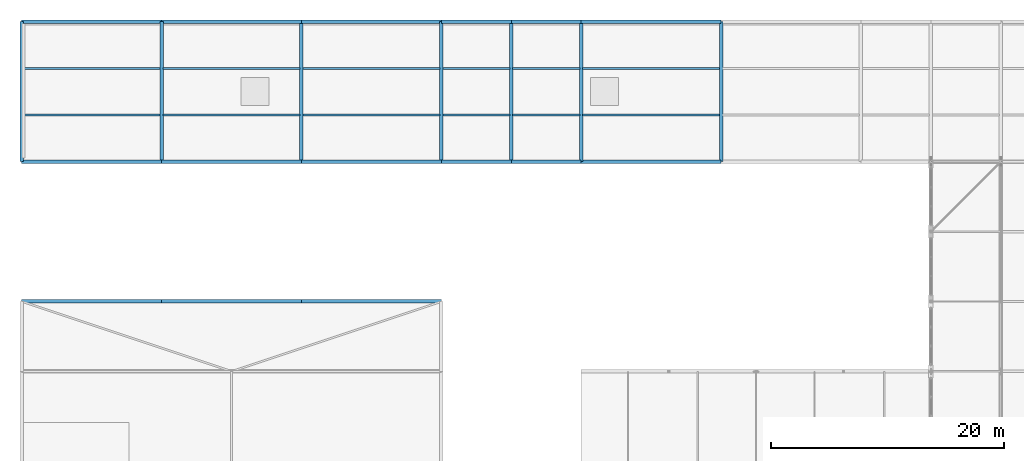
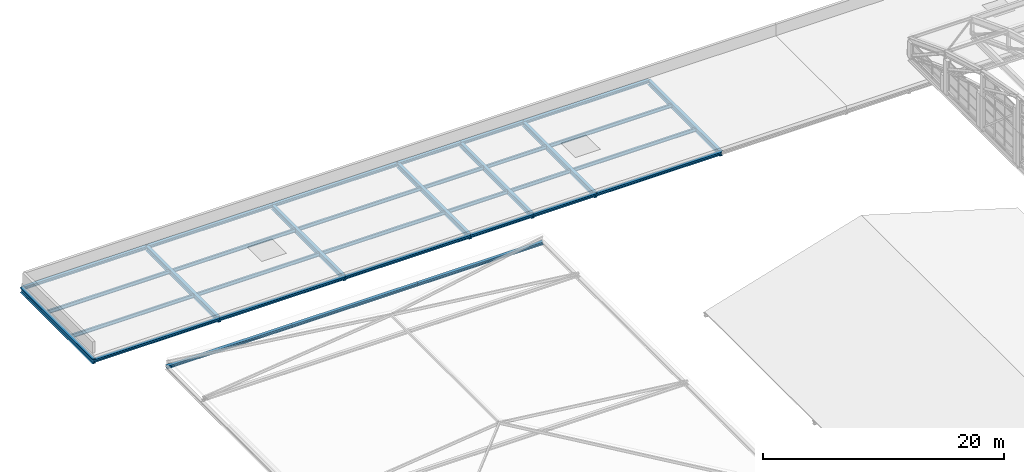
# One storey, part 140 of 204: 34 beams.
"""IFC4 building model written with IfcOpenShell, lengths in metres."""

import ifcopenshell
import ifcopenshell.guid

model = None  # the IFC model being written
_history = None  # IfcOwnerHistory: only IFC2X3 demands one
_inside = {}  # id of a spatial element -> (the spatial element, [elements in it])
_under = {}  # id of a project, library or spatial element -> (it, [spatial elements below it])
_declared = {}  # id of a project -> (the project, [libraries it declares])
_typed = {}  # id of a type object -> (the type object, [elements of that type])
_made_of = {}  # id of a material, layer set ... -> (it, [elements and type objects made of it])


def new_model(schema):
    """Start an empty IFC model of exactly this schema.

    Asked for "IFC4X3", IfcOpenShell would pick the latest addendum, in which some entities
    have other attributes; the version numbers below select the first issue.
    IFC2X3 requires an IfcOwnerHistory on every rooted entity: one is made here for all.
    """
    global model, _history
    if schema == "IFC4X3":
        model = ifcopenshell.file(schema_version=(4, 3, 0, 0))
    else:
        model = ifcopenshell.file(schema=schema)
    _inside.clear()
    _under.clear()
    _declared.clear()
    _typed.clear()
    _made_of.clear()
    _history = None
    if model.schema == "IFC2X3":
        org = make("IfcOrganization", Name="unknown")
        user = make(
            "IfcPersonAndOrganization",
            ThePerson=make("IfcPerson", FamilyName="unknown"),
            TheOrganization=org,
        )
        app = make(
            "IfcApplication",
            ApplicationDeveloper=org,
            Version="unknown",
            ApplicationFullName="unknown",
            ApplicationIdentifier="unknown",
        )
        _history = make(
            "IfcOwnerHistory",
            OwningUser=user,
            OwningApplication=app,
            ChangeAction="ADDED",
            CreationDate=0,
        )
    return model


def make(cls, **values):
    """One entity of the class cls with the attributes given. An attribute that is None is left unset."""
    return model.create_entity(
        cls, **{name: value for name, value in values.items() if value is not None}
    )


def rooted(cls, **values):
    """An entity with a GlobalId (a new one), such as an element, a storey or a relation."""
    return make(cls, GlobalId=ifcopenshell.guid.new(), OwnerHistory=_history, **values)


def si_unit(unit_type, name, prefix=None):
    """IfcSIUnit, for example si_unit("LENGTHUNIT", "METRE", prefix="MILLI")."""
    return make("IfcSIUnit", UnitType=unit_type, Prefix=prefix, Name=name)


def assignment(units):
    """IfcUnitAssignment: the units of a project."""
    return None if units is None else make("IfcUnitAssignment", Units=units)


def point(xyz):
    """IfcCartesianPoint."""
    return None if xyz is None else make("IfcCartesianPoint", Coordinates=xyz)


def direction(xyz):
    """IfcDirection."""
    return None if xyz is None else make("IfcDirection", DirectionRatios=xyz)


def frame(location, z_axis=None, x_axis=None):
    """IfcAxis2Placement3D, a coordinate frame: its origin and axes. An axis left out is left unset."""
    return make(
        "IfcAxis2Placement3D",
        Location=point(location),
        Axis=direction(z_axis),
        RefDirection=direction(x_axis),
    )


def frame_2d(location, x_axis=None):
    """IfcAxis2Placement2D, a coordinate frame in the plane: its origin and x axis."""
    return make(
        "IfcAxis2Placement2D", Location=point(location), RefDirection=direction(x_axis)
    )


def origin():
    """The frame at (0, 0, 0) with its axes left unset."""
    return frame((0.0, 0.0, 0.0))


def origin_2d():
    """The frame at (0, 0) in the plane with its x axis left unset."""
    return frame_2d((0.0, 0.0))


def place(relative_to, where):
    """IfcLocalPlacement: puts the frame where relative to a parent placement (None: the world)."""
    return make(
        "IfcLocalPlacement", PlacementRelTo=relative_to, RelativePlacement=where
    )


def context(
    kind, dimensions, precision=None, world=None, true_north=None, identifier=None
):
    """IfcGeometricRepresentationContext, for example the 3D "Model" context."""
    return make(
        "IfcGeometricRepresentationContext",
        ContextIdentifier=identifier,
        ContextType=kind,
        CoordinateSpaceDimension=dimensions,
        Precision=precision,
        WorldCoordinateSystem=world,
        TrueNorth=true_north,
    )


def subcontext(parent, identifier, kind, view, scale=None):
    """IfcGeometricRepresentationSubContext, for example "Body" below "Model"."""
    return make(
        "IfcGeometricRepresentationSubContext",
        ContextIdentifier=identifier,
        ContextType=kind,
        ParentContext=parent,
        TargetScale=scale,
        TargetView=view,
    )


def project(units=None, contexts=None):
    """IfcProject with its units and contexts."""
    return rooted(
        "IfcProject",
        Name="project",
        RepresentationContexts=contexts,
        UnitsInContext=assignment(units),
    )


def spatial(cls, under=None, at=None, **own):
    """A site, building, storey or space (cls), placed at a placement, below another one or the project."""
    s = rooted(cls, ObjectPlacement=at, **own)
    if under is not None:
        _under.setdefault(under.id(), (under, []))[1].append(s)
    return s


def profile(cls, at=None, kind="AREA", **sizes):
    """A parametric profile (cls). Its sizes go by their IFC names, for example OverallWidth=200.0."""
    return make(cls, ProfileType=kind, Position=at, **sizes)


def i_section(**sizes):
    """IfcIShapeProfileDef."""
    return profile("IfcIShapeProfileDef", **sizes)


def extrude(swept, where, along, depth):
    """IfcExtrudedAreaSolid: the profile swept, set in the frame where, extruded along a direction by depth."""
    return make(
        "IfcExtrudedAreaSolid",
        SweptArea=swept,
        Position=where,
        ExtrudedDirection=direction(along),
        Depth=depth,
    )


def shape(context_of_items, identifier, shape_type, items):
    """IfcShapeRepresentation: the items that make up one representation, for example the "Body"."""
    return make(
        "IfcShapeRepresentation",
        ContextOfItems=context_of_items,
        RepresentationIdentifier=identifier,
        RepresentationType=shape_type,
        Items=items,
    )


def material(Name=None, Category=None):
    """IfcMaterial."""
    return make("IfcMaterial", Name=Name, Category=Category)


def material_profile(
    of_material, cross_section, Name=None, Category=None, Priority=None
):
    """IfcMaterialProfile: a cross section and its material."""
    return make(
        "IfcMaterialProfile",
        Name=Name,
        Material=of_material,
        Profile=cross_section,
        Priority=Priority,
        Category=Category,
    )


def profile_set(profiles, Name=None, composite=None):
    """IfcMaterialProfileSet."""
    return make(
        "IfcMaterialProfileSet",
        Name=Name,
        MaterialProfiles=profiles,
        CompositeProfile=composite,
    )


def made_of(thing, what):
    """Note that an element or type object is made of a material, layer set ...; save() writes the relation."""
    if what is not None:
        _made_of.setdefault(what.id(), (what, []))[1].append(thing)
    return thing


def type_object(cls, material=None, **own):
    """A type object (cls), such as IfcWallType, which elements share."""
    return made_of(rooted(cls, **own), material)


def element(
    cls,
    number,
    at=None,
    inside=None,
    cuts=None,
    type_object=None,
    material=None,
    context=None,
    identifier="Body",
    shape_type=None,
    held_by="IfcProductDefinitionShape",
    body=None,
    shapes=None,
    **own,
):
    """One element of the class cls, such as IfcWall. Its Tag is "e" and its number.

    at: its placement. inside: the storey or other place that contains it. cuts: it is an
    opening in that element (IfcRelVoidsElement). A single representation is given by context,
    identifier, shape_type and body (its items); several are given by shapes. held_by: the class
    of the entity that holds the representations. save() writes the other relations.
    """
    e = rooted(cls, Tag="e%d" % number, ObjectPlacement=at, **own)
    if body is not None:
        shapes = [shape(context, identifier, shape_type, body)]
    if shapes is not None:
        e.Representation = make(held_by, Representations=shapes)
    if inside is not None:
        _inside.setdefault(inside.id(), (inside, []))[1].append(e)
    if cuts is not None:
        rooted(
            "IfcRelVoidsElement", RelatingBuildingElement=cuts, RelatedOpeningElement=e
        )
    if type_object is not None:
        _typed.setdefault(type_object.id(), (type_object, []))[1].append(e)
    return made_of(e, material)


def aggregate(whole, parts):
    """IfcRelAggregates: a whole, such as a stair, and the parts it consists of."""
    return rooted("IfcRelAggregates", RelatingObject=whole, RelatedObjects=parts)


def save(model, path):
    """Write the relations noted so far, then the file.

    IfcRelAggregates (storeys below a building ...), IfcRelContainedInSpatialStructure (elements
    in a storey), IfcRelDefinesByType, IfcRelAssociatesMaterial and IfcRelDeclares: one each for
    every whole, place, type object, material and project.
    """
    for whole, parts in _under.values():
        aggregate(whole, parts)
    for where, things in _inside.values():
        rooted(
            "IfcRelContainedInSpatialStructure",
            RelatedElements=things,
            RelatingStructure=where,
        )
    for kind, things in _typed.values():
        rooted("IfcRelDefinesByType", RelatedObjects=things, RelatingType=kind)
    for what, things in _made_of.values():
        rooted("IfcRelAssociatesMaterial", RelatedObjects=things, RelatingMaterial=what)
    for by, libraries in _declared.values():
        rooted("IfcRelDeclares", RelatingContext=by, RelatedDefinitions=libraries)
    model.write(path)


model = new_model("IFC4")

# Units and contexts
model_context = context("Model", 3, precision=1e-05, world=origin(), true_north=direction((0.0, 1.0)))
body_context = subcontext(model_context, "Body", "Model", "MODEL_VIEW")
ifc_project = project(units=[si_unit("LENGTHUNIT", "METRE"), si_unit("AREAUNIT", "SQUARE_METRE"), si_unit("VOLUMEUNIT", "CUBIC_METRE"), si_unit("PLANEANGLEUNIT", "RADIAN"), si_unit("MASSUNIT", "GRAM", prefix="KILO")], contexts=[model_context])

# Site, building, storey
site_placement = place(None, origin())
site = spatial("IfcSite", under=ifc_project, at=site_placement, CompositionType="ELEMENT")
building_placement = place(site_placement, origin())
building = spatial("IfcBuilding", under=site, at=building_placement, Name="Zilviju Railside Exhibition Hall", CompositionType="ELEMENT")
storey_placement = place(building_placement, frame((0.0, 0.0, 21.0)))
storey = spatial("IfcBuildingStorey", under=building, at=storey_placement, Name="RF", CompositionType="ELEMENT", Elevation=21.0)

# Beams
ifc_material = material(Name="Steel S355J2", Category="steel")
ifc_material_profile_1 = material_profile(ifc_material, i_section(OverallWidth=0.300048828125, OverallDepth=0.2900390625, WebThickness=0.008544921875, FlangeThickness=0.013916015625, at=origin_2d()), Name="HEA 300")
ifc_profile_set_1 = profile_set([ifc_material_profile_1], Name="Steel S355J2")
beam_type_1 = type_object("IfcBeamType", Name="BM-HEA300", PredefinedType="SPANDREL", material=ifc_profile_set_1)
for number, where, z_axis, x_axis, name in (
    (1, (0.0, 138.0, -7.094970703125), (1.0, 0.0, 0.0), (0.0, 1.0, 0.0), "Logistics Roof Beam Y=138.0 (0.0..12.0)"),
    (2, (0.0, 150.0, -7.094970703125), (1.0, 0.0, 0.0), (0.0, 1.0, 0.0), "Logistics Roof Beam Y=150.0 (0.0..12.0)"),
    (3, (12.0, 138.0, -7.094970703125), (1.0, 0.0, 0.0), (0.0, 1.0, 0.0), "Logistics Roof Beam Y=138.0 (12.0..24.0)"),
    (4, (12.0, 150.0, -7.094970703125), (1.0, 0.0, 0.0), (0.0, 1.0, 0.0), "Logistics Roof Beam Y=150.0 (12.0..24.0)"),
    (5, (24.0, 138.0, -7.094970703125), (1.0, 0.0, 0.0), (0.0, 1.0, 0.0), "Logistics Roof Beam Y=138.0 (24.0..36.0)"),
    (6, (24.0, 150.0, -7.094970703125), (1.0, 0.0, 0.0), (0.0, 1.0, 0.0), "Logistics Roof Beam Y=150.0 (24.0..36.0)"),
):
    element("IfcBeam", number, at=place(storey_placement, frame(where, z_axis=z_axis, x_axis=x_axis)), inside=storey, type_object=beam_type_1, Name=name, PredefinedType="SPANDREL", context=body_context, shape_type="SweptSolid", body=[
        extrude(i_section(OverallWidth=0.300048828125, OverallDepth=0.2900390625, WebThickness=0.008544921875, FlangeThickness=0.013916015625, at=origin_2d()), origin(), (0.0, 0.0, 1.0), 12.0),
    ])
for number, where, z_axis, x_axis, name in (
    (7, (36.0, 138.0, -7.094970703125), (1.0, 0.0, 0.0), (0.0, 1.0, 0.0), "Logistics Roof Beam Y=138.0 (36.0..42.0)"),
    (8, (36.0, 150.0, -7.094970703125), (1.0, 0.0, 0.0), (0.0, 1.0, 0.0), "Logistics Roof Beam Y=150.0 (36.0..42.0)"),
    (9, (42.0, 138.0, -7.094970703125), (1.0, 0.0, 0.0), (0.0, 1.0, 0.0), "Logistics Roof Beam Y=138.0 (42.0..48.0)"),
    (10, (42.0, 150.0, -7.094970703125), (1.0, 0.0, 0.0), (0.0, 1.0, 0.0), "Logistics Roof Beam Y=150.0 (42.0..48.0)"),
):
    element("IfcBeam", number, at=place(storey_placement, frame(where, z_axis=z_axis, x_axis=x_axis)), inside=storey, type_object=beam_type_1, Name=name, PredefinedType="SPANDREL", context=body_context, shape_type="SweptSolid", body=[
        extrude(i_section(OverallWidth=0.300048828125, OverallDepth=0.2900390625, WebThickness=0.008544921875, FlangeThickness=0.013916015625, at=origin_2d()), origin(), (0.0, 0.0, 1.0), 6.0),
    ])
for number, where, z_axis, x_axis, name in (
    (11, (48.0, 138.0, -7.094970703125), (1.0, 0.0, 0.0), (0.0, 1.0, 0.0), "Logistics Roof Beam Y=138.0 (48.0..60.0)"),
    (12, (48.0, 150.0, -7.094970703125), (1.0, 0.0, 0.0), (0.0, 1.0, 0.0), "Logistics Roof Beam Y=150.0 (48.0..60.0)"),
    (13, (0.0, 126.0, -0.5), (1.0, 0.0, 0.0), (0.0, 1.0, 0.0), "Directorate Eave Beam Y=126.0"),
    (14, (12.0, 126.0, -0.5), (1.0, 0.0, 0.0), (0.0, 1.0, 0.0), "Directorate Eave Beam Y=126.0"),
    (15, (24.0, 126.0, -0.5), (1.0, 0.0, 0.0), (0.0, 1.0, 0.0), "Directorate Eave Beam Y=126.0"),
):
    element("IfcBeam", number, at=place(storey_placement, frame(where, z_axis=z_axis, x_axis=x_axis)), inside=storey, type_object=beam_type_1, Name=name, PredefinedType="SPANDREL", context=body_context, shape_type="SweptSolid", body=[
        extrude(i_section(OverallWidth=0.300048828125, OverallDepth=0.2900390625, WebThickness=0.008544921875, FlangeThickness=0.013916015625, at=origin_2d()), origin(), (0.0, 0.0, 1.0), 12.0),
    ])
ifc_material_profile_2 = material_profile(ifc_material, i_section(OverallWidth=0.300048828125, OverallDepth=0.5, WebThickness=0.014404296875, FlangeThickness=0.028076171875, at=origin_2d()), Name="HEB 500")
ifc_profile_set_2 = profile_set([ifc_material_profile_2], Name="Steel S355J2")
beam_type_2 = type_object("IfcBeamType", Name="BM-HEB500", PredefinedType="BEAM", material=ifc_profile_set_2)
for number, where, z_axis, x_axis, name in (
    (16, (0.0, 138.0, -7.199951171875), (0.0, 1.0, 0.0), (-1.0, 0.0, 0.0), "Logistics Roof Girder X=0.0"),
    (17, (12.0, 138.0, -7.199951171875), (0.0, 1.0, 0.0), (-1.0, 0.0, 0.0), "Logistics Roof Girder X=12.0"),
    (18, (24.0, 138.0, -7.199951171875), (0.0, 1.0, 0.0), (-1.0, 0.0, 0.0), "Logistics Roof Girder X=24.0"),
    (19, (36.0, 138.0, -7.199951171875), (0.0, 1.0, 0.0), (-1.0, 0.0, 0.0), "Logistics Roof Girder X=36.0"),
    (20, (42.0, 138.0, -7.199951171875), (0.0, 1.0, 0.0), (-1.0, 0.0, 0.0), "Logistics Roof Girder X=42.0"),
    (21, (48.0, 138.0, -7.199951171875), (0.0, 1.0, 0.0), (-1.0, 0.0, 0.0), "Logistics Roof Girder X=48.0"),
    (22, (60.0, 138.0, -7.199951171875), (0.0, 1.0, 0.0), (-1.0, 0.0, 0.0), "Logistics Roof Girder X=60.0"),
):
    element("IfcBeam", number, at=place(storey_placement, frame(where, z_axis=z_axis, x_axis=x_axis)), inside=storey, type_object=beam_type_2, Name=name, PredefinedType="BEAM", context=body_context, shape_type="SweptSolid", body=[
        extrude(i_section(OverallWidth=0.300048828125, OverallDepth=0.5, WebThickness=0.014404296875, FlangeThickness=0.028076171875, at=origin_2d()), origin(), (0.0, 0.0, 1.0), 12.0),
    ])
ifc_material_profile_3 = material_profile(ifc_material, i_section(OverallWidth=0.169921875, OverallDepth=0.360107421875, WebThickness=0.008056640625, FlangeThickness=0.0126953125, at=origin_2d()), Name="IPE 360")
ifc_profile_set_3 = profile_set([ifc_material_profile_3], Name="Steel S355J2")
beam_type_3 = type_object("IfcBeamType", Name="BM-IPE360", PredefinedType="JOIST", material=ifc_profile_set_3)
for number, where, z_axis, x_axis, name in (
    (23, (0.1201171875, 142.0, -7.1298828125), (1.0, 0.0, 0.0), (0.0, 1.0, 0.0), "Logistics Roof Beam Y=142.0 (0.0..12.0)"),
    (24, (0.1201171875, 146.0, -7.1298828125), (1.0, 0.0, 0.0), (0.0, 1.0, 0.0), "Logistics Roof Beam Y=146.0 (0.0..12.0)"),
    (25, (12.1201171875, 142.0, -7.1298828125), (1.0, 0.0, 0.0), (0.0, 1.0, 0.0), "Logistics Roof Beam Y=142.0 (12.0..24.0)"),
    (26, (12.1201171875, 146.0, -7.1298828125), (1.0, 0.0, 0.0), (0.0, 1.0, 0.0), "Logistics Roof Beam Y=146.0 (12.0..24.0)"),
    (27, (24.1201171875, 142.0, -7.1298828125), (1.0, 0.0, 0.0), (0.0, 1.0, 0.0), "Logistics Roof Beam Y=142.0 (24.0..36.0)"),
    (28, (24.1201171875, 146.0, -7.1298828125), (1.0, 0.0, 0.0), (0.0, 1.0, 0.0), "Logistics Roof Beam Y=146.0 (24.0..36.0)"),
):
    element("IfcBeam", number, at=place(storey_placement, frame(where, z_axis=z_axis, x_axis=x_axis)), inside=storey, type_object=beam_type_3, Name=name, PredefinedType="JOIST", context=body_context, shape_type="SweptSolid", body=[
        extrude(i_section(OverallWidth=0.169921875, OverallDepth=0.360107421875, WebThickness=0.008056640625, FlangeThickness=0.0126953125, at=origin_2d()), origin(), (0.0, 0.0, 1.0), 11.759765625),
    ])
for number, where, z_axis, x_axis, name in (
    (29, (36.1201171875, 142.0, -7.1298828125), (1.0, 0.0, 0.0), (0.0, 1.0, 0.0), "Logistics Roof Beam Y=142.0 (36.0..42.0)"),
    (30, (36.1201171875, 146.0, -7.1298828125), (1.0, 0.0, 0.0), (0.0, 1.0, 0.0), "Logistics Roof Beam Y=146.0 (36.0..42.0)"),
    (31, (42.1201171875, 142.0, -7.1298828125), (1.0, 0.0, 0.0), (0.0, 1.0, 0.0), "Logistics Roof Beam Y=142.0 (42.0..48.0)"),
    (32, (42.1201171875, 146.0, -7.1298828125), (1.0, 0.0, 0.0), (0.0, 1.0, 0.0), "Logistics Roof Beam Y=146.0 (42.0..48.0)"),
):
    element("IfcBeam", number, at=place(storey_placement, frame(where, z_axis=z_axis, x_axis=x_axis)), inside=storey, type_object=beam_type_3, Name=name, PredefinedType="JOIST", context=body_context, shape_type="SweptSolid", body=[
        extrude(i_section(OverallWidth=0.169921875, OverallDepth=0.360107421875, WebThickness=0.008056640625, FlangeThickness=0.0126953125, at=origin_2d()), origin(), (0.0, 0.0, 1.0), 5.759765625),
    ])
for number, where, z_axis, x_axis, name in (
    (33, (48.1201171875, 142.0, -7.1298828125), (1.0, 0.0, 0.0), (0.0, 1.0, 0.0), "Logistics Roof Beam Y=142.0 (48.0..60.0)"),
    (34, (48.1201171875, 146.0, -7.1298828125), (1.0, 0.0, 0.0), (0.0, 1.0, 0.0), "Logistics Roof Beam Y=146.0 (48.0..60.0)"),
):
    element("IfcBeam", number, at=place(storey_placement, frame(where, z_axis=z_axis, x_axis=x_axis)), inside=storey, type_object=beam_type_3, Name=name, PredefinedType="JOIST", context=body_context, shape_type="SweptSolid", body=[
        extrude(i_section(OverallWidth=0.169921875, OverallDepth=0.360107421875, WebThickness=0.008056640625, FlangeThickness=0.0126953125, at=origin_2d()), origin(), (0.0, 0.0, 1.0), 11.759765625),
    ])

save(model, "model.ifc")
